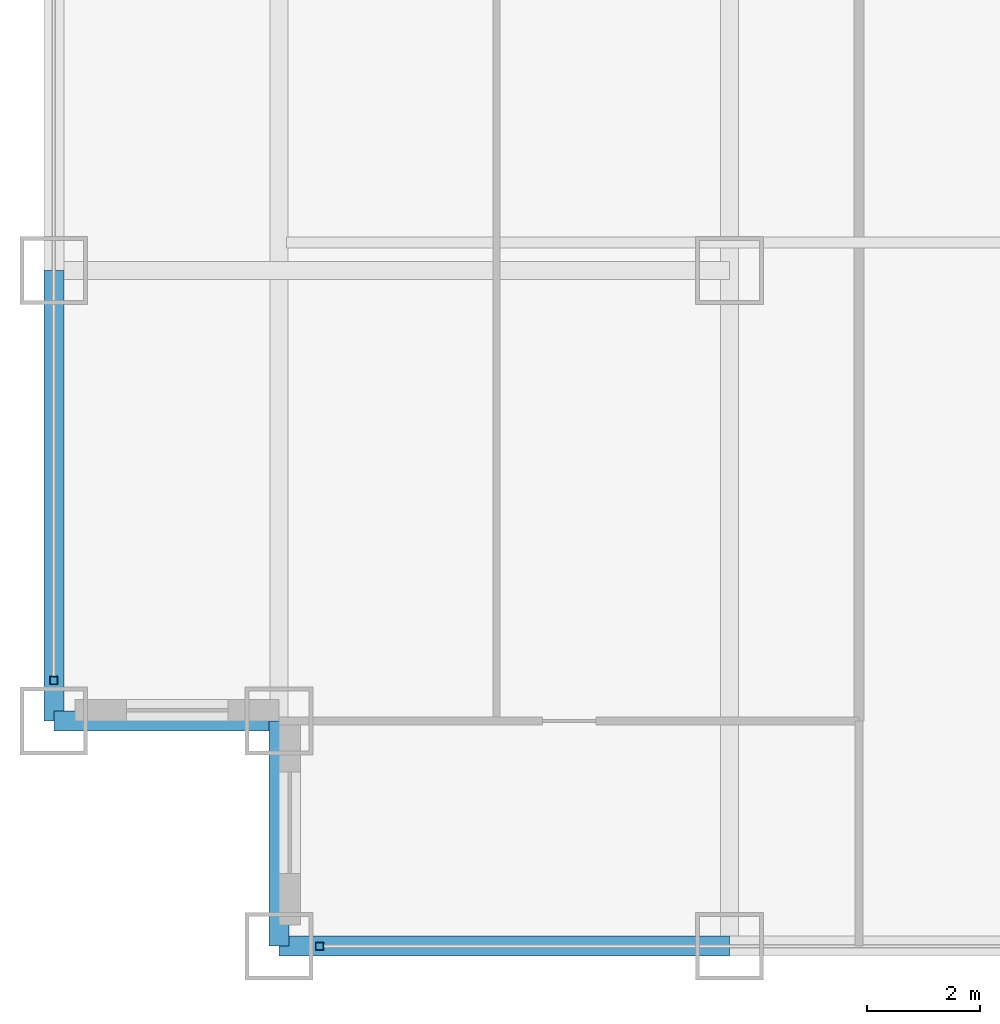
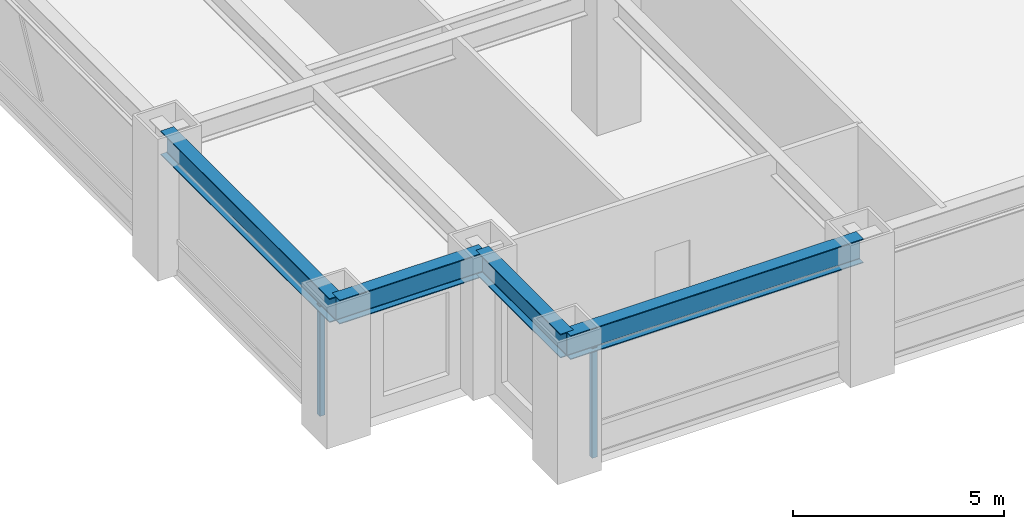
# One storey, part 2 of 27: 4 beams, 2 members, 2 elements without a shape of their own.
"""IFC4 building model written with IfcOpenShell, lengths in metres."""

from ifc_helpers import new_model, si_unit, direction, frame, origin, origin_2d, place, context, subcontext, project, spatial, hollow_rectangle, i_section, extrude, source, transform, mapped, material, material_profile, profile_set, type_object, element, aggregate, save


model = new_model("IFC4")

# Units and contexts
model_context = context("Model", 3, precision=1e-05, world=origin(), true_north=direction((0.0, 1.0)))
body_context = subcontext(model_context, "Body", "Model", "MODEL_VIEW")
ifc_project = project(units=[si_unit("LENGTHUNIT", "METRE"), si_unit("AREAUNIT", "SQUARE_METRE"), si_unit("VOLUMEUNIT", "CUBIC_METRE"), si_unit("PLANEANGLEUNIT", "RADIAN"), si_unit("MASSUNIT", "GRAM", prefix="KILO")], contexts=[model_context])

# Site, building, storey
site_placement = place(None, origin())
site = spatial("IfcSite", under=ifc_project, at=site_placement, CompositionType="ELEMENT")
building_placement = place(site_placement, origin())
building = spatial("IfcBuilding", under=site, at=building_placement, Name="Khorayat Bourse Tower", CompositionType="ELEMENT")
storey_placement = place(building_placement, frame((0.0, 0.0, 107.800048828125)))
storey = spatial("IfcBuildingStorey", under=building, at=storey_placement, Name="L24", CompositionType="ELEMENT", Elevation=107.800048828125)

# Beams
ifc_material_1 = material(Name="Steel ASTM A992 Grade 50", Category="steel")
ifc_material_profile_1 = material_profile(ifc_material_1, i_section(OverallWidth=0.35498046875, OverallDepth=0.695068359375, WebThickness=0.015380859375, FlangeThickness=0.02490234375, FilletRadius=0.01806640625, at=origin_2d()), Name="W690X217")
ifc_profile_set_1 = profile_set([ifc_material_profile_1], Name="Steel ASTM A992 Grade 50")
beam_type = type_object("IfcBeamType", Name="BM-SPAN-690", PredefinedType="SPANDREL", material=ifc_profile_set_1)
shared_shape_1 = source(origin(), body_context, "Body", "SweptSolid", [
    extrude(i_section(OverallWidth=0.35498046875, OverallDepth=0.695068359375, WebThickness=0.015380859375, FlangeThickness=0.02490234375, FilletRadius=0.01806640625, at=origin_2d()), origin(), (0.0, 0.0, 1.0), 8.0),
])
for number, where, z_axis, x_axis, name in (
    (1, (-28.0, -32.0, 3.492431640625), (1.0, 0.0, 0.0), (0.0, 1.0, 0.0), "L24 BM-SPAN-690 BM-L24-SPN-024"),
    (2, (-32.0, -28.0, 3.492431640625), (0.0, 1.0, 0.0), (-1.0, 0.0, 0.0), "L24 BM-SPAN-690 BM-L24-SPN-061"),
):
    element("IfcBeam", number, at=place(storey_placement, frame(where, z_axis=z_axis, x_axis=x_axis)), inside=storey, type_object=beam_type, Name=name, PredefinedType="SPANDREL", context=body_context, shape_type="MappedRepresentation", body=[
        mapped(shared_shape_1, transform((0.0, 0.0, 0.0), scale=1.0)),
    ])
shared_shape_2 = source(origin(), body_context, "Body", "SweptSolid", [
    extrude(i_section(OverallWidth=0.35498046875, OverallDepth=0.695068359375, WebThickness=0.015380859375, FlangeThickness=0.02490234375, FilletRadius=0.01806640625, at=origin_2d()), origin(), (0.0, 0.0, 1.0), 4.0),
])
for number, where, z_axis, x_axis, name in (
    (3, (-32.0, -28.0, 3.492431640625), (1.0, 0.0, 0.0), (0.0, 1.0, 0.0), "L24 BM-SPAN-690 BM-L24-SPN-062"),
    (4, (-28.0, -32.0, 3.492431640625), (0.0, 1.0, 0.0), (-1.0, 0.0, 0.0), "L24 BM-SPAN-690 BM-L24-SPN-063"),
):
    element("IfcBeam", number, at=place(storey_placement, frame(where, z_axis=z_axis, x_axis=x_axis)), inside=storey, type_object=beam_type, Name=name, PredefinedType="SPANDREL", context=body_context, shape_type="MappedRepresentation", body=[
        mapped(shared_shape_2, transform((0.0, 0.0, 0.0), scale=1.0)),
    ])

# Curtain wall, member
ifc_material_2 = material(Name="Aluminium EN AW-6063 T6", Category="aluminium")
curtain_wall_type = type_object("IfcCurtainWallType", Name="CW-SYS-02", PredefinedType="NOTDEFINED", material=ifc_material_2)
curtain_wall_1_placement = place(storey_placement, origin())
curtain_wall_1 = element("IfcCurtainWall", 5, at=curtain_wall_1_placement, inside=storey, type_object=curtain_wall_type, Name="L24 Curtain Wall CW-L24-S1", PredefinedType="NOTDEFINED")
ifc_material_profile_2 = material_profile(ifc_material_2, hollow_rectangle(XDim=0.139892578125, YDim=0.139892578125, WallThickness=0.006103515625, at=origin_2d()), Name="ALU 140x140x6")
ifc_profile_set_2 = profile_set([ifc_material_profile_2], Name="Aluminium EN AW-6063 T6")
member_type = type_object("IfcMemberType", Name="CWM-VERT-140", PredefinedType="MULLION", material=ifc_profile_set_2)
shared_shape_3 = source(origin(), body_context, "Body", "SweptSolid", [
    extrude(hollow_rectangle(XDim=0.139892578125, YDim=0.139892578125, WallThickness=0.006103515625, at=origin_2d()), origin(), (0.0, 0.0, 1.0), 3.18994140625),
])
member_1_placement = place(storey_placement, frame((-27.280029296875, -32.0, 0.0), z_axis=(0.0, 0.0, 1.0), x_axis=(0.0, 1.0, 0.0)))
member_1 = element("IfcMember", 6, at=member_1_placement, type_object=member_type, Name="CW-L24-S1 Vertical Mullion 1", PredefinedType="MULLION", context=body_context, shape_type="MappedRepresentation", body=[
    mapped(shared_shape_3, transform((0.0, 0.0, 0.0), scale=1.0)),
])
aggregate(curtain_wall_1, [member_1])

curtain_wall_2_placement = place(storey_placement, origin())
curtain_wall_2 = element("IfcCurtainWall", 7, at=curtain_wall_2_placement, inside=storey, type_object=curtain_wall_type, Name="L24 Curtain Wall CW-L24-W1", PredefinedType="NOTDEFINED")
member_2_placement = place(storey_placement, frame((-32.0, -27.280029296875, 0.0), z_axis=(0.0, 0.0, 1.0), x_axis=(-1.0, 0.0, 0.0)))
member_2 = element("IfcMember", 8, at=member_2_placement, type_object=member_type, Name="CW-L24-W1 Vertical Mullion 1", PredefinedType="MULLION", context=body_context, shape_type="MappedRepresentation", body=[
    mapped(shared_shape_3, transform((0.0, 0.0, 0.0), scale=1.0)),
])
aggregate(curtain_wall_2, [member_2])

save(model, "model.ifc")
